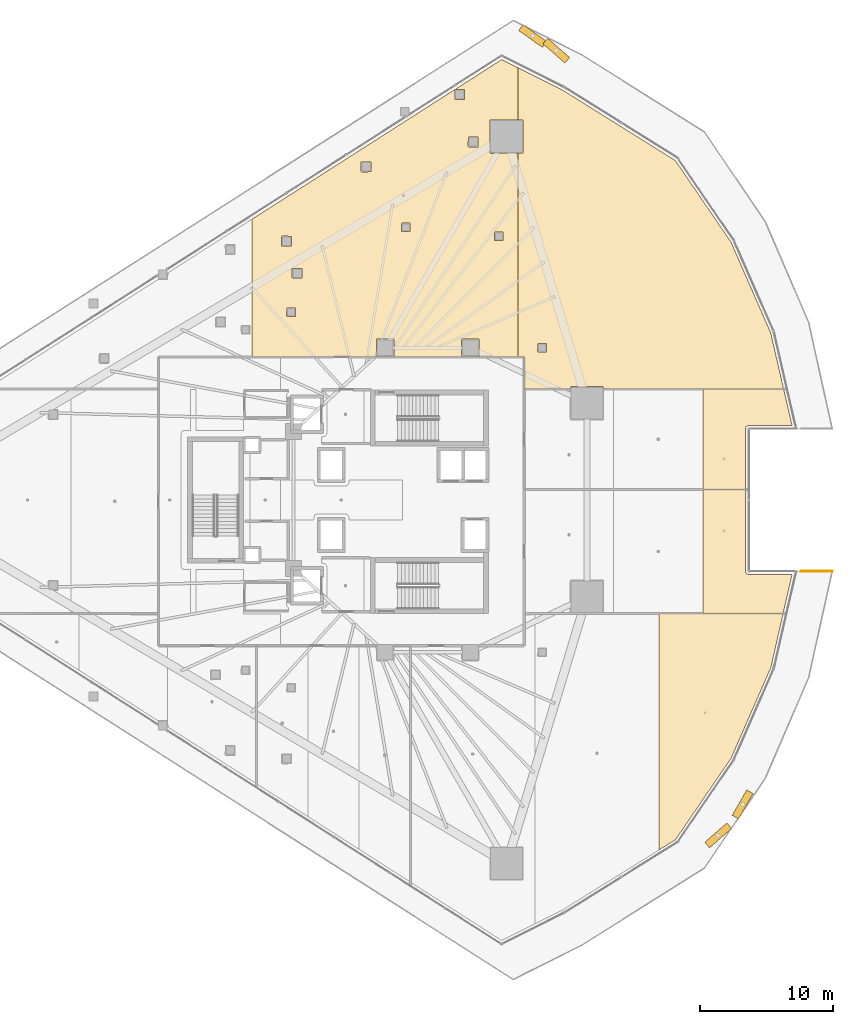
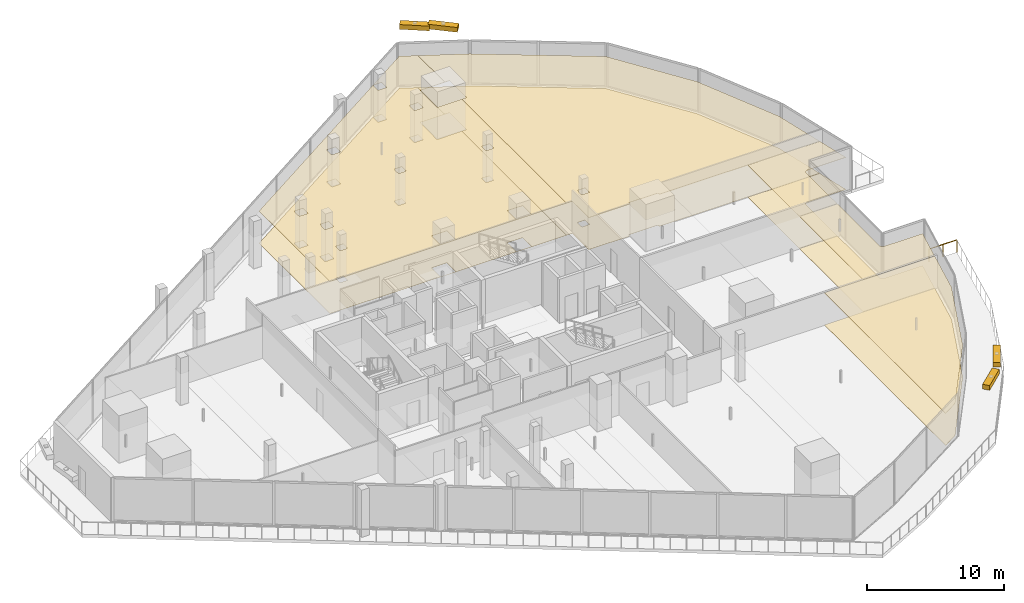
# One storey, part 44 of 44: 10 coverings, 4 shading devices, 1 railing.
"""IFC4 building model written with IfcOpenShell, lengths in metres."""

from ifc_helpers import new_model, si_unit, direction, frame, origin, origin_2d, place, context, subcontext, project, spatial, polyline, rectangle, circle, outline, extrude, material, layer, layer_set, type_object, element, save


model = new_model("IFC4")

# Units and contexts
model_context = context("Model", 3, precision=1e-05, world=origin(), true_north=direction((0.0, 1.0)))
body_context = subcontext(model_context, "Body", "Model", "MODEL_VIEW")
ifc_project = project(units=[si_unit("LENGTHUNIT", "METRE"), si_unit("AREAUNIT", "SQUARE_METRE"), si_unit("VOLUMEUNIT", "CUBIC_METRE"), si_unit("PLANEANGLEUNIT", "RADIAN"), si_unit("MASSUNIT", "GRAM", prefix="KILO")], contexts=[model_context])

# Site, building, storey
site_placement = place(None, origin())
site = spatial("IfcSite", under=ifc_project, at=site_placement, CompositionType="ELEMENT")
building_placement = place(site_placement, origin())
building = spatial("IfcBuilding", under=site, at=building_placement, Name="Qorvath Tower", CompositionType="ELEMENT")
storey_placement = place(building_placement, frame((0.0, 0.0, 40.800048828125)))
storey = spatial("IfcBuildingStorey", under=building, at=storey_placement, Name="L08", CompositionType="ELEMENT", Elevation=40.800048828125)

# Coverings
ifc_material_1 = material(Name="Acoustic mineral fibre ceiling tile", Category="gypsum")
ifc_layer_1 = layer(ifc_material_1, 0.030029296875)
ifc_layer_set_1 = layer_set([ifc_layer_1], Name="COV-CEIL")
covering_type_1 = type_object("IfcCoveringType", Name="COV-CEIL", PredefinedType="CEILING", material=ifc_layer_set_1)
covering_1_placement = place(storey_placement, frame((0.0, 0.0, 2.849853515625)))
element("IfcCovering", 1, at=covering_1_placement, inside=storey, type_object=covering_type_1, Name="L08 Suspended Acoustic Ceiling 011", PredefinedType="CEILING", context=body_context, shape_type="SweptSolid", body=[
    extrude(outline(polyline([(-18.3681640625, 30.86572265625), (-33.60546875, 21.127197265625), (-33.60546875, 10.762939453125), (-13.621826171875, 10.762939453125), (-13.621826171875, 26.08544921875), (-15.664306640625, 26.07080078125), (-15.724365234375, 26.130615234375), (-15.706787109375, 28.5732421875), (-13.621826171875, 28.5732421875), (-13.621826171875, 32.501708984375), (-14.8486328125, 33.114990234375), (-18.361572265625, 30.869873046875), (-17.632568359375, 30.867431640625), (-17.632568359375, 30.132568359375), (-18.367431640625, 30.132568359375), (-18.3681640625, 30.86572265625)]), holes=[polyline([(-15.381103515625, 20.093017578125), (-15.321044921875, 20.153076171875), (-14.728759765625, 20.135498046875), (-14.728759765625, 19.500732421875), (-15.363525390625, 19.500732421875), (-15.381103515625, 20.093017578125)]), polyline([(-17.860107421875, 12.050048828125), (-17.800048828125, 12.110107421875), (-16.5576171875, 12.092529296875), (-16.5576171875, 10.8076171875), (-17.842529296875, 10.8076171875), (-17.860107421875, 12.050048828125)]), polyline([(-17.3662109375, 26.604248046875), (-17.3486328125, 27.296630859375), (-16.61376953125, 27.296630859375), (-16.61376953125, 26.561767578125), (-17.30615234375, 26.544189453125), (-17.3662109375, 26.604248046875)]), polyline([(-22.38818359375, 20.77001953125), (-22.328125, 20.829833984375), (-21.73583984375, 20.812255859375), (-21.73583984375, 20.177490234375), (-22.37060546875, 20.177490234375), (-22.38818359375, 20.77001953125)]), polyline([(-24.260009765625, 10.85009765625), (-24.242431640625, 12.092529296875), (-22.95751953125, 12.092529296875), (-22.95751953125, 10.8076171875), (-24.199951171875, 10.7900390625), (-24.260009765625, 10.85009765625)]), polyline([(-25.422607421875, 24.73388671875), (-25.405029296875, 25.42626953125), (-24.670166015625, 25.42626953125), (-24.670166015625, 24.69140625), (-25.362548828125, 24.673828125), (-25.422607421875, 24.73388671875)]), polyline([(-30.60986328125, 16.734619140625), (-30.59228515625, 17.427001953125), (-29.857421875, 17.427001953125), (-29.857421875, 16.692138671875), (-30.5498046875, 16.674560546875), (-30.60986328125, 16.734619140625)]), polyline([(-31.01220703125, 13.849365234375), (-30.99462890625, 14.441650390625), (-30.35986328125, 14.441650390625), (-30.35986328125, 13.806884765625), (-30.9521484375, 13.789306640625), (-31.01220703125, 13.849365234375)]), polyline([(-31.401123046875, 19.785400390625), (-31.341064453125, 19.845458984375), (-30.648681640625, 19.827880859375), (-30.648681640625, 19.093017578125), (-31.383544921875, 19.093017578125), (-31.401123046875, 19.785400390625)])]), origin(), (0.0, 0.0, 1.0), 0.030029296875),
])
covering_2_placement = place(storey_placement, frame((0.0, 0.0, 2.849853515625)))
element("IfcCovering", 2, at=covering_2_placement, inside=storey, type_object=covering_type_1, Name="L08 Suspended Acoustic Ceiling 012", PredefinedType="CEILING", context=body_context, shape_type="SweptSolid", body=[
    extrude(outline(polyline([(-13.621826171875, 32.501708984375), (-13.621826171875, 28.5732421875), (-13.221923828125, 28.5732421875), (-13.221923828125, 26.08837890625), (-13.621826171875, 26.08544921875), (-13.621826171875, 10.762939453125), (-13.14208984375, 10.762939453125), (-13.136962890625, 8.35498046875), (-9.690185546875, 8.35498046875), (-9.63037109375, 8.536376953125), (-7.230224609375, 8.536376953125), (-7.17041015625, 8.35498046875), (6.361572265625, 8.35498046875), (5.3876953125, 12.581787109375), (2.399169921875, 19.4052734375), (-1.78466796875, 25.53271484375), (-10.21630859375, 30.798828125), (-13.621826171875, 32.501708984375)]), holes=[polyline([(-12.135009765625, 11.175048828125), (-12.117431640625, 11.767333984375), (-11.482666015625, 11.767333984375), (-11.482666015625, 11.132568359375), (-12.074951171875, 11.114990234375), (-12.135009765625, 11.175048828125)])]), origin(), (0.0, 0.0, 1.0), 0.030029296875),
])
covering_3_placement = place(storey_placement, frame((0.0, 0.0, 2.849853515625)))
element("IfcCovering", 3, at=covering_3_placement, inside=storey, type_object=covering_type_1, Name="L08 Suspended Acoustic Ceiling 021", PredefinedType="CEILING", context=body_context, shape_type="SweptSolid", body=[
    extrude(outline(polyline([(-3.008544921875, -8.547119140625), (-3.008544921875, -26.316162109375), (-1.769287109375, -25.545654296875), (2.41748046875, -19.4130859375), (5.40673828125, -12.588134765625), (6.328369140625, -8.539794921875), (-3.008544921875, -8.547119140625)])), origin(), (0.0, 0.0, 1.0), 0.030029296875),
])
covering_4_placement = place(storey_placement, frame((0.0, 0.0, 2.849853515625)))
element("IfcCovering", 4, at=covering_4_placement, inside=storey, type_object=covering_type_1, Name="L08 Suspended Acoustic Ceiling 024", PredefinedType="CEILING", context=body_context, shape_type="SweptSolid", body=[
    extrude(outline(polyline([(3.580078125, -5.552734375), (3.492919921875, -5.405517578125), (3.488037109375, 0.7861328125), (0.283447265625, 0.7861328125), (0.283447265625, -8.5263671875), (6.3232421875, -8.521728515625), (6.99365234375, -5.61181640625), (3.718505859375, -5.610595703125), (3.580078125, -5.552734375)])), origin(), (0.0, 0.0, 1.0), 0.030029296875),
])
covering_5_placement = place(storey_placement, frame((0.0, 0.0, 2.849853515625)))
element("IfcCovering", 5, at=covering_5_placement, inside=storey, type_object=covering_type_1, Name="L08 Suspended Acoustic Ceiling 027", PredefinedType="CEILING", context=body_context, shape_type="SweptSolid", body=[
    extrude(outline(polyline([(3.547119140625, 5.519775390625), (3.6943359375, 5.60693359375), (6.99365234375, 5.61181640625), (6.36572265625, 8.3369140625), (0.283447265625, 8.3369140625), (0.283447265625, 0.80419921875), (3.488037109375, 0.80419921875), (3.4892578125, 5.38134765625), (3.547119140625, 5.519775390625)])), origin(), (0.0, 0.0, 1.0), 0.030029296875),
])
ifc_material_2 = material(Name="Low-VOC modular carpet tile", Category="textile")
ifc_layer_2 = layer(ifc_material_2, 0.014892578125)
ifc_layer_set_2 = layer_set([ifc_layer_2], Name="COV-FLOOR-CPT")
covering_type_2 = type_object("IfcCoveringType", Name="COV-FLOOR-CPT", PredefinedType="FLOORING", material=ifc_layer_set_2)
covering_6_placement = place(storey_placement, origin())
element("IfcCovering", 6, at=covering_6_placement, inside=storey, type_object=covering_type_2, Name="L08 Floor Finish 011", PredefinedType="FLOORING", context=body_context, shape_type="SweptSolid", body=[
    extrude(outline(polyline([(-18.3681640625, 30.86572265625), (-33.60546875, 21.127197265625), (-33.60546875, 10.762939453125), (-13.621826171875, 10.762939453125), (-13.621826171875, 26.08544921875), (-15.664306640625, 26.07080078125), (-15.724365234375, 26.130615234375), (-15.706787109375, 28.5732421875), (-13.621826171875, 28.5732421875), (-13.621826171875, 32.501708984375), (-14.8486328125, 33.114990234375), (-18.361572265625, 30.869873046875), (-17.632568359375, 30.867431640625), (-17.632568359375, 30.132568359375), (-18.367431640625, 30.132568359375), (-18.3681640625, 30.86572265625)]), holes=[polyline([(-15.381103515625, 20.093017578125), (-15.321044921875, 20.153076171875), (-14.728759765625, 20.135498046875), (-14.728759765625, 19.500732421875), (-15.363525390625, 19.500732421875), (-15.381103515625, 20.093017578125)]), polyline([(-17.860107421875, 12.050048828125), (-17.800048828125, 12.110107421875), (-16.5576171875, 12.092529296875), (-16.5576171875, 10.8076171875), (-17.842529296875, 10.8076171875), (-17.860107421875, 12.050048828125)]), polyline([(-17.3662109375, 26.604248046875), (-17.3486328125, 27.296630859375), (-16.61376953125, 27.296630859375), (-16.61376953125, 26.561767578125), (-17.30615234375, 26.544189453125), (-17.3662109375, 26.604248046875)]), polyline([(-22.38818359375, 20.77001953125), (-22.328125, 20.829833984375), (-21.73583984375, 20.812255859375), (-21.73583984375, 20.177490234375), (-22.37060546875, 20.177490234375), (-22.38818359375, 20.77001953125)]), polyline([(-24.260009765625, 10.85009765625), (-24.242431640625, 12.092529296875), (-22.95751953125, 12.092529296875), (-22.95751953125, 10.8076171875), (-24.199951171875, 10.7900390625), (-24.260009765625, 10.85009765625)]), polyline([(-25.422607421875, 24.73388671875), (-25.405029296875, 25.42626953125), (-24.670166015625, 25.42626953125), (-24.670166015625, 24.69140625), (-25.362548828125, 24.673828125), (-25.422607421875, 24.73388671875)]), polyline([(-30.60986328125, 16.734619140625), (-30.59228515625, 17.427001953125), (-29.857421875, 17.427001953125), (-29.857421875, 16.692138671875), (-30.5498046875, 16.674560546875), (-30.60986328125, 16.734619140625)]), polyline([(-31.01220703125, 13.849365234375), (-30.99462890625, 14.441650390625), (-30.35986328125, 14.441650390625), (-30.35986328125, 13.806884765625), (-30.9521484375, 13.789306640625), (-31.01220703125, 13.849365234375)]), polyline([(-31.401123046875, 19.785400390625), (-31.341064453125, 19.845458984375), (-30.648681640625, 19.827880859375), (-30.648681640625, 19.093017578125), (-31.383544921875, 19.093017578125), (-31.401123046875, 19.785400390625)])]), origin(), (0.0, 0.0, 1.0), 0.014892578125),
])
covering_7_placement = place(storey_placement, origin())
element("IfcCovering", 7, at=covering_7_placement, inside=storey, type_object=covering_type_2, Name="L08 Floor Finish 012", PredefinedType="FLOORING", context=body_context, shape_type="SweptSolid", body=[
    extrude(outline(polyline([(-13.621826171875, 32.501708984375), (-13.621826171875, 28.5732421875), (-13.221923828125, 28.5732421875), (-13.221923828125, 26.08837890625), (-13.621826171875, 26.08544921875), (-13.621826171875, 10.762939453125), (-13.14208984375, 10.762939453125), (-13.136962890625, 8.35498046875), (-9.690185546875, 8.35498046875), (-9.63037109375, 8.536376953125), (-7.230224609375, 8.536376953125), (-7.17041015625, 8.35498046875), (6.361572265625, 8.35498046875), (5.3876953125, 12.581787109375), (2.399169921875, 19.4052734375), (-1.78466796875, 25.53271484375), (-10.21630859375, 30.798828125), (-13.621826171875, 32.501708984375)]), holes=[polyline([(-12.135009765625, 11.175048828125), (-12.117431640625, 11.767333984375), (-11.482666015625, 11.767333984375), (-11.482666015625, 11.132568359375), (-12.074951171875, 11.114990234375), (-12.135009765625, 11.175048828125)])]), origin(), (0.0, 0.0, 1.0), 0.014892578125),
])
covering_8_placement = place(storey_placement, origin())
element("IfcCovering", 8, at=covering_8_placement, inside=storey, type_object=covering_type_2, Name="L08 Floor Finish 021", PredefinedType="FLOORING", context=body_context, shape_type="SweptSolid", body=[
    extrude(outline(polyline([(-3.008544921875, -8.547119140625), (-3.008544921875, -26.316162109375), (-1.769287109375, -25.545654296875), (2.41748046875, -19.4130859375), (5.40673828125, -12.588134765625), (6.328369140625, -8.539794921875), (-3.008544921875, -8.547119140625)])), origin(), (0.0, 0.0, 1.0), 0.014892578125),
])
covering_9_placement = place(storey_placement, origin())
element("IfcCovering", 9, at=covering_9_placement, inside=storey, type_object=covering_type_2, Name="L08 Floor Finish 024", PredefinedType="FLOORING", context=body_context, shape_type="SweptSolid", body=[
    extrude(outline(polyline([(3.580078125, -5.552734375), (3.492919921875, -5.405517578125), (3.488037109375, 0.7861328125), (0.283447265625, 0.7861328125), (0.283447265625, -8.5263671875), (6.3232421875, -8.521728515625), (6.99365234375, -5.61181640625), (3.718505859375, -5.610595703125), (3.580078125, -5.552734375)])), origin(), (0.0, 0.0, 1.0), 0.014892578125),
])
covering_10_placement = place(storey_placement, origin())
element("IfcCovering", 10, at=covering_10_placement, inside=storey, type_object=covering_type_2, Name="L08 Floor Finish 027", PredefinedType="FLOORING", context=body_context, shape_type="SweptSolid", body=[
    extrude(outline(polyline([(3.547119140625, 5.519775390625), (3.6943359375, 5.60693359375), (6.99365234375, 5.61181640625), (6.36572265625, 8.3369140625), (0.283447265625, 8.3369140625), (0.283447265625, 0.80419921875), (3.488037109375, 0.80419921875), (3.4892578125, 5.38134765625), (3.547119140625, 5.519775390625)])), origin(), (0.0, 0.0, 1.0), 0.014892578125),
])

# Railing
ifc_material_3 = material(Name="Laminated safety glass and stainless steel AISI 316", Category="steel")
railing_type = type_object("IfcRailingType", Name="RL-EXT-GRD", PredefinedType="GUARDRAIL", material=ifc_material_3)
railing_placement = place(storey_placement, frame((7.663818359375, -5.356689453125, 0.0)))
element("IfcRailing", 11, at=railing_placement, inside=storey, type_object=railing_type, Name="Loggia Perimeter Guardrail L08-1.2", PredefinedType="GUARDRAIL", context=body_context, shape_type="SweptSolid", body=[
    extrude(circle(Radius=0.02392578125, at=origin_2d()), frame((0.0, 0.0, 1.09619140625), z_axis=(1.0, 0.0, 0.0), x_axis=(0.0, 1.0, 0.0)), (0.0, 0.0, 1.0), 2.3662109375),
    extrude(circle(Radius=0.02099609375, at=origin_2d()), origin(), (0.0, 0.0, 1.0), 1.072021484375),
    extrude(circle(Radius=0.02099609375, at=origin_2d()), frame((1.18310546875, 0.0, 0.0)), (0.0, 0.0, 1.0), 1.072021484375),
    extrude(circle(Radius=0.02099609375, at=origin_2d()), frame((2.3662109375, 0.0, 0.0)), (0.0, 0.0, 1.0), 1.072021484375),
])

# Shading devices
ifc_material_4 = material(Name="Anodised bronze-champagne aluminium", Category="aluminium")
shading_device_type = type_object("IfcShadingDeviceType", Name="SD-LOUVRE", PredefinedType="JALOUSIE", material=ifc_material_4)
for number, where, z_axis, x_axis, name in (
    (12, (1.443115234375, -25.218994140625, 3.5), (0.0, 0.0, 1.0), (0.75200549541, 0.659156836325, 0.0), "Sinusoidal Wave Louvre Blade L08-03"),
    (13, (3.2763671875, -22.89404296875, 3.5), (0.0, 0.0, 1.0), (0.494762643493, 0.869028150639, 0.0), "Sinusoidal Wave Louvre Blade L08-04"),
    (14, (-10.736328125, 33.79150390625, 3.5), (0.0, 0.0, 1.0), (-0.752465490396, 0.658631676859, 0.0), "Sinusoidal Wave Louvre Blade L08-05"),
    (15, (-12.504638671875, 34.89306640625, 3.5), (0.0, 0.0, 1.0), (-0.815188453442, 0.579195809183, 0.0), "Sinusoidal Wave Louvre Blade L08-06"),
):
    element("IfcShadingDevice", number, at=place(storey_placement, frame(where, z_axis=z_axis, x_axis=x_axis)), inside=storey, type_object=shading_device_type, Name=name, PredefinedType="NOTDEFINED", context=body_context, shape_type="SweptSolid", body=[
        extrude(rectangle(XDim=2.199951171875, YDim=0.550048828125, at=origin_2d()), origin(), (0.0, 0.0, 1.0), 0.419921875),
    ])

save(model, "model.ifc")
